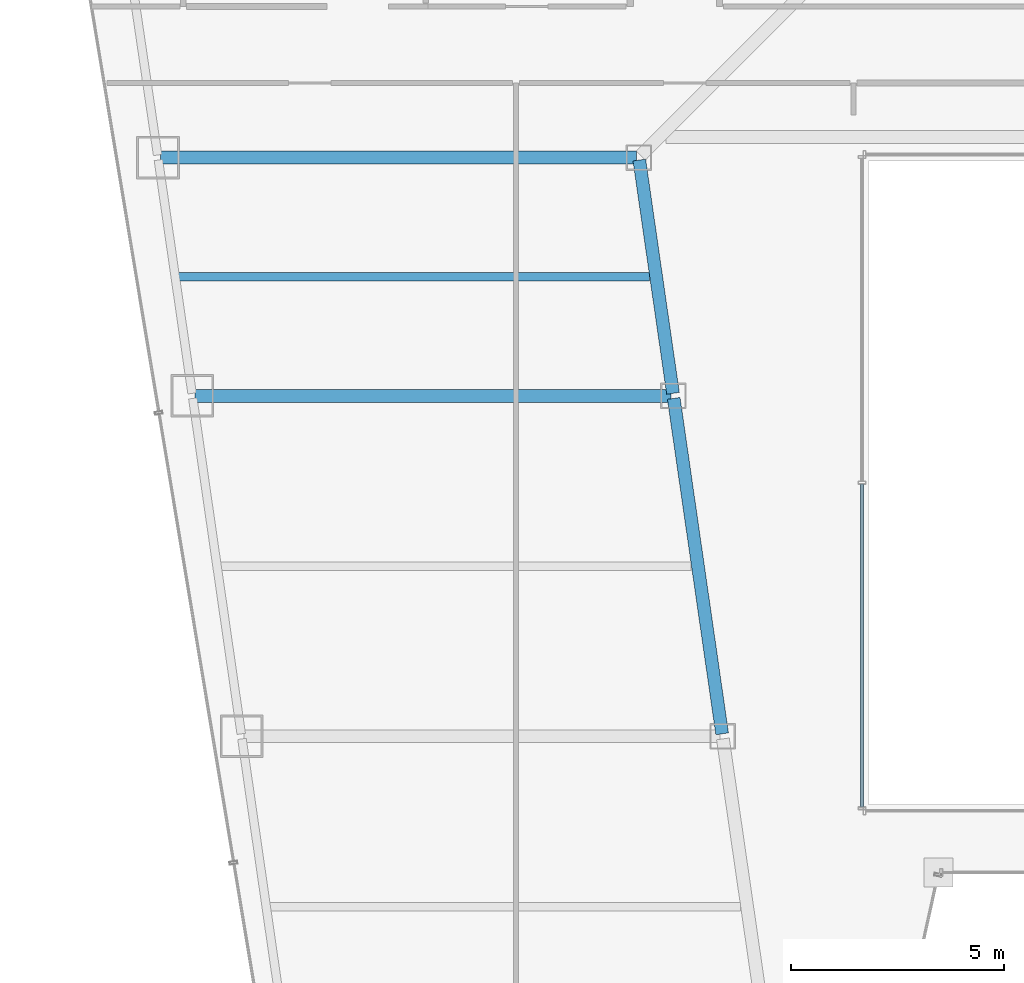
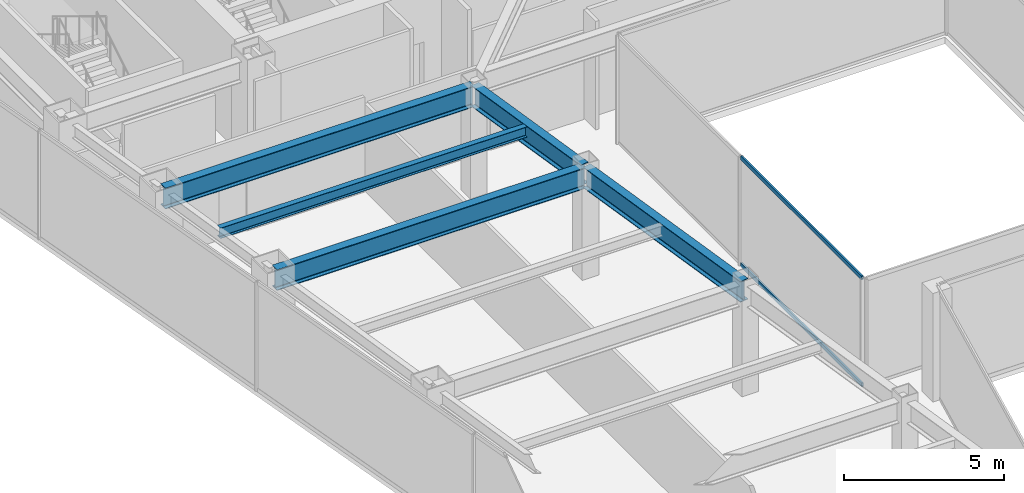
# One storey, part 10 of 37: 5 beams, 2 members, 1 element without a shape of its own.
"""IFC4 building model written with IfcOpenShell, lengths in metres."""

import ifcopenshell
import ifcopenshell.guid

model = None  # the IFC model being written
_history = None  # IfcOwnerHistory: only IFC2X3 demands one
_inside = {}  # id of a spatial element -> (the spatial element, [elements in it])
_under = {}  # id of a project, library or spatial element -> (it, [spatial elements below it])
_declared = {}  # id of a project -> (the project, [libraries it declares])
_typed = {}  # id of a type object -> (the type object, [elements of that type])
_made_of = {}  # id of a material, layer set ... -> (it, [elements and type objects made of it])


def new_model(schema):
    """Start an empty IFC model of exactly this schema.

    Asked for "IFC4X3", IfcOpenShell would pick the latest addendum, in which some entities
    have other attributes; the version numbers below select the first issue.
    IFC2X3 requires an IfcOwnerHistory on every rooted entity: one is made here for all.
    """
    global model, _history
    if schema == "IFC4X3":
        model = ifcopenshell.file(schema_version=(4, 3, 0, 0))
    else:
        model = ifcopenshell.file(schema=schema)
    _inside.clear()
    _under.clear()
    _declared.clear()
    _typed.clear()
    _made_of.clear()
    _history = None
    if model.schema == "IFC2X3":
        org = make("IfcOrganization", Name="unknown")
        user = make(
            "IfcPersonAndOrganization",
            ThePerson=make("IfcPerson", FamilyName="unknown"),
            TheOrganization=org,
        )
        app = make(
            "IfcApplication",
            ApplicationDeveloper=org,
            Version="unknown",
            ApplicationFullName="unknown",
            ApplicationIdentifier="unknown",
        )
        _history = make(
            "IfcOwnerHistory",
            OwningUser=user,
            OwningApplication=app,
            ChangeAction="ADDED",
            CreationDate=0,
        )
    return model


def make(cls, **values):
    """One entity of the class cls with the attributes given. An attribute that is None is left unset."""
    return model.create_entity(
        cls, **{name: value for name, value in values.items() if value is not None}
    )


def rooted(cls, **values):
    """An entity with a GlobalId (a new one), such as an element, a storey or a relation."""
    return make(cls, GlobalId=ifcopenshell.guid.new(), OwnerHistory=_history, **values)


def si_unit(unit_type, name, prefix=None):
    """IfcSIUnit, for example si_unit("LENGTHUNIT", "METRE", prefix="MILLI")."""
    return make("IfcSIUnit", UnitType=unit_type, Prefix=prefix, Name=name)


def assignment(units):
    """IfcUnitAssignment: the units of a project."""
    return None if units is None else make("IfcUnitAssignment", Units=units)


def point(xyz):
    """IfcCartesianPoint."""
    return None if xyz is None else make("IfcCartesianPoint", Coordinates=xyz)


def direction(xyz):
    """IfcDirection."""
    return None if xyz is None else make("IfcDirection", DirectionRatios=xyz)


def frame(location, z_axis=None, x_axis=None):
    """IfcAxis2Placement3D, a coordinate frame: its origin and axes. An axis left out is left unset."""
    return make(
        "IfcAxis2Placement3D",
        Location=point(location),
        Axis=direction(z_axis),
        RefDirection=direction(x_axis),
    )


def frame_2d(location, x_axis=None):
    """IfcAxis2Placement2D, a coordinate frame in the plane: its origin and x axis."""
    return make(
        "IfcAxis2Placement2D", Location=point(location), RefDirection=direction(x_axis)
    )


def origin():
    """The frame at (0, 0, 0) with its axes left unset."""
    return frame((0.0, 0.0, 0.0))


def origin_2d():
    """The frame at (0, 0) in the plane with its x axis left unset."""
    return frame_2d((0.0, 0.0))


def place(relative_to, where):
    """IfcLocalPlacement: puts the frame where relative to a parent placement (None: the world)."""
    return make(
        "IfcLocalPlacement", PlacementRelTo=relative_to, RelativePlacement=where
    )


def context(
    kind, dimensions, precision=None, world=None, true_north=None, identifier=None
):
    """IfcGeometricRepresentationContext, for example the 3D "Model" context."""
    return make(
        "IfcGeometricRepresentationContext",
        ContextIdentifier=identifier,
        ContextType=kind,
        CoordinateSpaceDimension=dimensions,
        Precision=precision,
        WorldCoordinateSystem=world,
        TrueNorth=true_north,
    )


def subcontext(parent, identifier, kind, view, scale=None):
    """IfcGeometricRepresentationSubContext, for example "Body" below "Model"."""
    return make(
        "IfcGeometricRepresentationSubContext",
        ContextIdentifier=identifier,
        ContextType=kind,
        ParentContext=parent,
        TargetScale=scale,
        TargetView=view,
    )


def project(units=None, contexts=None):
    """IfcProject with its units and contexts."""
    return rooted(
        "IfcProject",
        Name="project",
        RepresentationContexts=contexts,
        UnitsInContext=assignment(units),
    )


def spatial(cls, under=None, at=None, **own):
    """A site, building, storey or space (cls), placed at a placement, below another one or the project."""
    s = rooted(cls, ObjectPlacement=at, **own)
    if under is not None:
        _under.setdefault(under.id(), (under, []))[1].append(s)
    return s


def profile(cls, at=None, kind="AREA", **sizes):
    """A parametric profile (cls). Its sizes go by their IFC names, for example OverallWidth=200.0."""
    return make(cls, ProfileType=kind, Position=at, **sizes)


def hollow_rectangle(**sizes):
    """IfcRectangleHollowProfileDef."""
    return profile("IfcRectangleHollowProfileDef", **sizes)


def i_section(**sizes):
    """IfcIShapeProfileDef."""
    return profile("IfcIShapeProfileDef", **sizes)


def extrude(swept, where, along, depth):
    """IfcExtrudedAreaSolid: the profile swept, set in the frame where, extruded along a direction by depth."""
    return make(
        "IfcExtrudedAreaSolid",
        SweptArea=swept,
        Position=where,
        ExtrudedDirection=direction(along),
        Depth=depth,
    )


def shape(context_of_items, identifier, shape_type, items):
    """IfcShapeRepresentation: the items that make up one representation, for example the "Body"."""
    return make(
        "IfcShapeRepresentation",
        ContextOfItems=context_of_items,
        RepresentationIdentifier=identifier,
        RepresentationType=shape_type,
        Items=items,
    )


def material(Name=None, Category=None):
    """IfcMaterial."""
    return make("IfcMaterial", Name=Name, Category=Category)


def material_profile(
    of_material, cross_section, Name=None, Category=None, Priority=None
):
    """IfcMaterialProfile: a cross section and its material."""
    return make(
        "IfcMaterialProfile",
        Name=Name,
        Material=of_material,
        Profile=cross_section,
        Priority=Priority,
        Category=Category,
    )


def profile_set(profiles, Name=None, composite=None):
    """IfcMaterialProfileSet."""
    return make(
        "IfcMaterialProfileSet",
        Name=Name,
        MaterialProfiles=profiles,
        CompositeProfile=composite,
    )


def made_of(thing, what):
    """Note that an element or type object is made of a material, layer set ...; save() writes the relation."""
    if what is not None:
        _made_of.setdefault(what.id(), (what, []))[1].append(thing)
    return thing


def type_object(cls, material=None, **own):
    """A type object (cls), such as IfcWallType, which elements share."""
    return made_of(rooted(cls, **own), material)


def element(
    cls,
    number,
    at=None,
    inside=None,
    cuts=None,
    type_object=None,
    material=None,
    context=None,
    identifier="Body",
    shape_type=None,
    held_by="IfcProductDefinitionShape",
    body=None,
    shapes=None,
    **own,
):
    """One element of the class cls, such as IfcWall. Its Tag is "e" and its number.

    at: its placement. inside: the storey or other place that contains it. cuts: it is an
    opening in that element (IfcRelVoidsElement). A single representation is given by context,
    identifier, shape_type and body (its items); several are given by shapes. held_by: the class
    of the entity that holds the representations. save() writes the other relations.
    """
    e = rooted(cls, Tag="e%d" % number, ObjectPlacement=at, **own)
    if body is not None:
        shapes = [shape(context, identifier, shape_type, body)]
    if shapes is not None:
        e.Representation = make(held_by, Representations=shapes)
    if inside is not None:
        _inside.setdefault(inside.id(), (inside, []))[1].append(e)
    if cuts is not None:
        rooted(
            "IfcRelVoidsElement", RelatingBuildingElement=cuts, RelatedOpeningElement=e
        )
    if type_object is not None:
        _typed.setdefault(type_object.id(), (type_object, []))[1].append(e)
    return made_of(e, material)


def aggregate(whole, parts):
    """IfcRelAggregates: a whole, such as a stair, and the parts it consists of."""
    return rooted("IfcRelAggregates", RelatingObject=whole, RelatedObjects=parts)


def save(model, path):
    """Write the relations noted so far, then the file.

    IfcRelAggregates (storeys below a building ...), IfcRelContainedInSpatialStructure (elements
    in a storey), IfcRelDefinesByType, IfcRelAssociatesMaterial and IfcRelDeclares: one each for
    every whole, place, type object, material and project.
    """
    for whole, parts in _under.values():
        aggregate(whole, parts)
    for where, things in _inside.values():
        rooted(
            "IfcRelContainedInSpatialStructure",
            RelatedElements=things,
            RelatingStructure=where,
        )
    for kind, things in _typed.values():
        rooted("IfcRelDefinesByType", RelatedObjects=things, RelatingType=kind)
    for what, things in _made_of.values():
        rooted("IfcRelAssociatesMaterial", RelatedObjects=things, RelatingMaterial=what)
    for by, libraries in _declared.values():
        rooted("IfcRelDeclares", RelatingContext=by, RelatedDefinitions=libraries)
    model.write(path)


model = new_model("IFC4")

# Units and contexts
model_context = context("Model", 3, precision=1e-05, world=origin(), true_north=direction((0.0, 1.0)))
body_context = subcontext(model_context, "Body", "Model", "MODEL_VIEW")
ifc_project = project(units=[si_unit("LENGTHUNIT", "METRE"), si_unit("AREAUNIT", "SQUARE_METRE"), si_unit("VOLUMEUNIT", "CUBIC_METRE"), si_unit("PLANEANGLEUNIT", "RADIAN"), si_unit("MASSUNIT", "GRAM", prefix="KILO")], contexts=[model_context])

# Site, building, storey
site_placement = place(None, origin())
site = spatial("IfcSite", under=ifc_project, at=site_placement, CompositionType="ELEMENT")
building_placement = place(site_placement, origin())
building = spatial("IfcBuilding", under=site, at=building_placement, Name="Saevonmaru Cultural Tower", CompositionType="ELEMENT")
storey_placement = place(building_placement, frame((0.0, 0.0, 106.0)))
storey = spatial("IfcBuildingStorey", under=building, at=storey_placement, Name="L22", CompositionType="ELEMENT", Elevation=106.0)

# Beams
ifc_material_1 = material(Name="Steel SM420", Category="steel")
ifc_material_profile_1 = material_profile(ifc_material_1, i_section(OverallWidth=0.300048828125, OverallDepth=0.800048828125, WebThickness=0.013916015625, FlangeThickness=0.02587890625, FilletRadius=0.028076171875, at=origin_2d()), Name="H-800x300x14x26")
ifc_profile_set_1 = profile_set([ifc_material_profile_1], Name="Steel SM420")
beam_type_1 = type_object("IfcBeamType", Name="BM-G-H800", PredefinedType="BEAM", material=ifc_profile_set_1)
beam_1_placement = place(storey_placement, frame((20.763427734375, 24.059326171875, 3.75), z_axis=(-0.142902032203, 0.989736838353, 0.0), x_axis=(-0.989736838353, -0.142902032203, 0.0)))
element("IfcBeam", 1, at=beam_1_placement, inside=storey, type_object=beam_type_1, Name="L22 West Atrium Girder 3", PredefinedType="BEAM", context=body_context, shape_type="SweptSolid", body=[
    extrude(i_section(OverallWidth=0.300048828125, OverallDepth=0.800048828125, WebThickness=0.013916015625, FlangeThickness=0.02587890625, FilletRadius=0.028076171875, at=origin_2d()), origin(), (0.0, 0.0, 1.0), 7.963134765625),
])
beam_2_placement = place(storey_placement, frame((19.6083984375, 32.059326171875, 3.75), z_axis=(-0.142964121327, 0.989727871697, 0.0), x_axis=(-0.989727871697, -0.142964121327, 0.0)))
element("IfcBeam", 2, at=beam_2_placement, inside=storey, type_object=beam_type_1, Name="L22 West Atrium Girder 4", PredefinedType="BEAM", context=body_context, shape_type="SweptSolid", body=[
    extrude(i_section(OverallWidth=0.300048828125, OverallDepth=0.800048828125, WebThickness=0.013916015625, FlangeThickness=0.02587890625, FilletRadius=0.028076171875, at=origin_2d()), origin(), (0.0, 0.0, 1.0), 5.5380859375),
])
for number, where, z_axis, x_axis, name in (
    (3, (8.376953125, 32.0, 3.75), (1.0, 0.0, 0.0), (0.0, 1.0, 0.0), "L22 West Wing Transverse Girder 4"),
    (4, (7.568115234375, 37.60009765625, 3.75), (1.0, 0.0, 0.0), (0.0, 1.0, 0.0), "L22 West Wing Transverse Girder 5"),
):
    element("IfcBeam", number, at=place(storey_placement, frame(where, z_axis=z_axis, x_axis=x_axis)), inside=storey, type_object=beam_type_1, Name=name, PredefinedType="BEAM", context=body_context, shape_type="SweptSolid", body=[
        extrude(i_section(OverallWidth=0.300048828125, OverallDepth=0.800048828125, WebThickness=0.013916015625, FlangeThickness=0.02587890625, FilletRadius=0.028076171875, at=origin_2d()), origin(), (0.0, 0.0, 1.0), 11.179931640625),
    ])
ifc_material_2 = material(Name="Steel SM355", Category="steel")
ifc_material_profile_2 = material_profile(ifc_material_2, i_section(OverallWidth=0.199951171875, OverallDepth=0.39990234375, WebThickness=0.008056640625, FlangeThickness=0.012939453125, FilletRadius=0.01611328125, at=origin_2d()), Name="H-400x200x8x13")
ifc_profile_set_2 = profile_set([ifc_material_profile_2], Name="Steel SM355")
beam_type_2 = type_object("IfcBeamType", Name="BM-J-H400", PredefinedType="JOIST", material=ifc_profile_set_2)
beam_3_placement = place(storey_placement, frame((7.972412109375, 34.800048828125, 3.949951171875), z_axis=(1.0, 0.0, 0.0), x_axis=(0.0, 1.0, 0.0)))
element("IfcBeam", 5, at=beam_3_placement, inside=storey, type_object=beam_type_2, Name="L22 West Wing Floor Joist 4", PredefinedType="JOIST", context=body_context, shape_type="SweptSolid", body=[
    extrude(i_section(OverallWidth=0.199951171875, OverallDepth=0.39990234375, WebThickness=0.008056640625, FlangeThickness=0.012939453125, FilletRadius=0.01611328125, at=origin_2d()), origin(), (0.0, 0.0, 1.0), 11.08203125),
])

# Curtain wall, members
ifc_material_3 = material(Name="Satin Bronze Anodised Aluminium", Category="aluminium")
curtain_wall_type = type_object("IfcCurtainWallType", Name="CW-ATR-GLZ", PredefinedType="NOTDEFINED", material=ifc_material_3)
curtain_wall_placement = place(storey_placement, origin())
curtain_wall = element("IfcCurtainWall", 6, at=curtain_wall_placement, inside=storey, type_object=curtain_wall_type, Name="L22 Vertical Atrium Glazed Smoke Screen 4", PredefinedType="NOTDEFINED")
ifc_material_profile_3 = material_profile(ifc_material_3, hollow_rectangle(XDim=0.06494140625, YDim=0.14990234375, WallThickness=0.00390625, at=origin_2d()), Name="ALU-TRAN-150x65x4")
ifc_profile_set_3 = profile_set([ifc_material_profile_3], Name="Satin Bronze Anodised Aluminium")
member_type = type_object("IfcMemberType", Name="TR-CW-INT-150x65", PredefinedType="USERDEFINED", material=ifc_profile_set_3)
member_1_placement = place(storey_placement, frame((24.050048828125, 29.927490234375, 0.032470703125), z_axis=(0.0, -1.0, 0.0), x_axis=(1.0, 0.0, 0.0)))
member_1 = element("IfcMember", 7, at=member_1_placement, type_object=member_type, Name="CW-ATR-L22-4 transom 2.1", ObjectType="TRANSOM", PredefinedType="USERDEFINED", context=body_context, shape_type="SweptSolid", body=[
    extrude(hollow_rectangle(XDim=0.06494140625, YDim=0.14990234375, WallThickness=0.00390625, at=origin_2d()), origin(), (0.0, 0.0, 1.0), 7.5849609375),
])
member_2_placement = place(storey_placement, frame((24.050048828125, 29.927490234375, 4.117431640625), z_axis=(0.0, -1.0, 0.0), x_axis=(1.0, 0.0, 0.0)))
member_2 = element("IfcMember", 8, at=member_2_placement, type_object=member_type, Name="CW-ATR-L22-4 transom 2.2", ObjectType="TRANSOM", PredefinedType="USERDEFINED", context=body_context, shape_type="SweptSolid", body=[
    extrude(hollow_rectangle(XDim=0.06494140625, YDim=0.14990234375, WallThickness=0.00390625, at=origin_2d()), origin(), (0.0, 0.0, 1.0), 7.5849609375),
])
aggregate(curtain_wall, [member_1, member_2])

save(model, "model.ifc")
